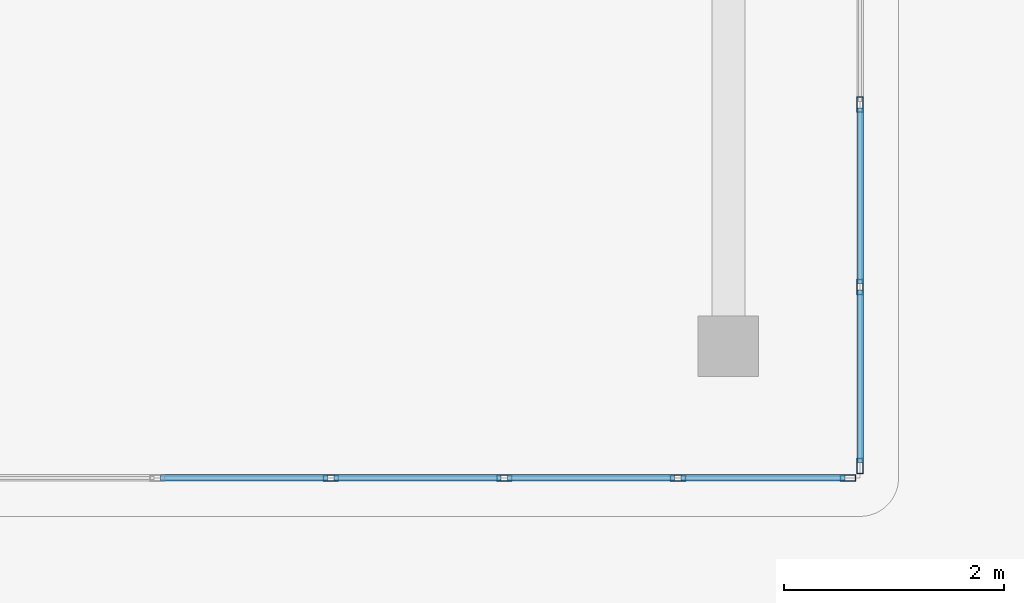
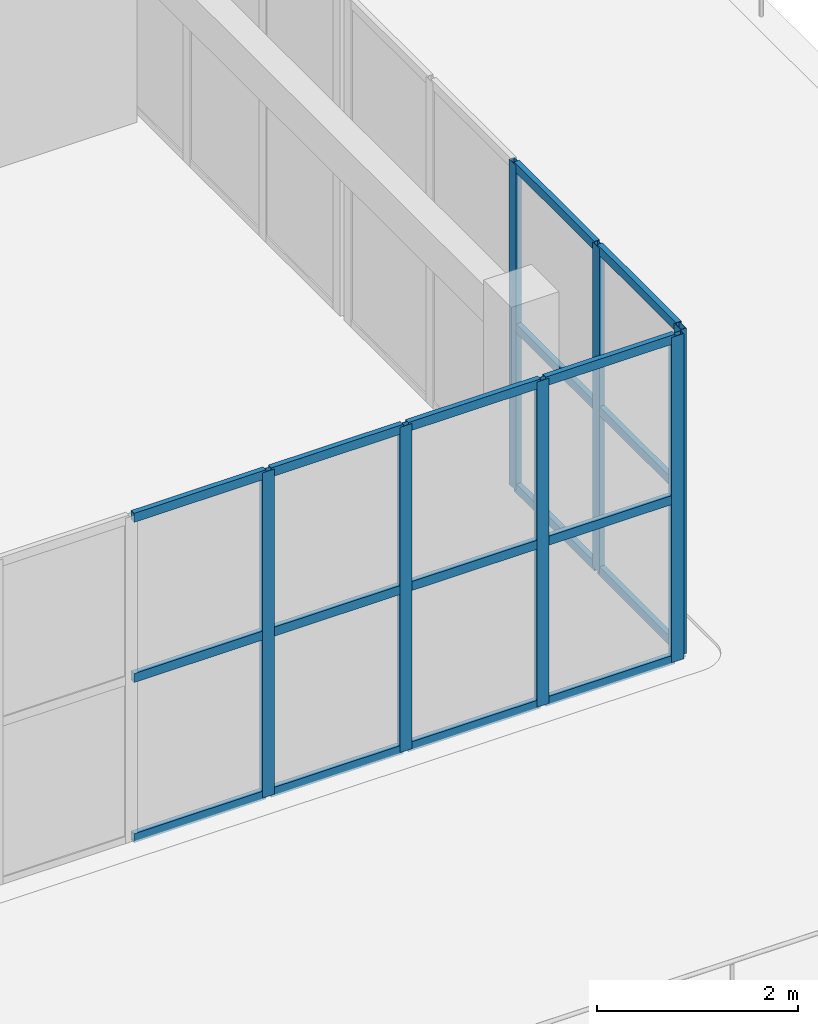
# One storey, part 28 of 90: 25 members, 2 elements without a shape of their own.
"""IFC4 building model written with IfcOpenShell, lengths in metres."""

from ifc_helpers import new_model, si_unit, direction, frame, origin, origin_2d, place, context, subcontext, project, spatial, hollow_rectangle, extrude, material, layer, layer_set, material_profile, profile_set, type_object, element, aggregate, save


model = new_model("IFC4")

# Units and contexts
model_context = context("Model", 3, precision=1e-05, world=origin(), true_north=direction((0.0, 1.0)))
body_context = subcontext(model_context, "Body", "Model", "MODEL_VIEW")
ifc_project = project(units=[si_unit("LENGTHUNIT", "METRE"), si_unit("AREAUNIT", "SQUARE_METRE"), si_unit("VOLUMEUNIT", "CUBIC_METRE"), si_unit("PLANEANGLEUNIT", "RADIAN"), si_unit("MASSUNIT", "GRAM", prefix="KILO")], contexts=[model_context])

# Site, building, storey
site_placement = place(None, origin())
site = spatial("IfcSite", under=ifc_project, at=site_placement, CompositionType="ELEMENT")
building_placement = place(site_placement, origin())
building = spatial("IfcBuilding", under=site, at=building_placement, Name="Trelvath General Hospital", CompositionType="ELEMENT")
storey_placement = place(building_placement, frame((0.0, 0.0, 20.39990234375)))
storey = spatial("IfcBuildingStorey", under=building, at=storey_placement, Name="L05", CompositionType="ELEMENT", Elevation=20.39990234375)

# Curtain wall, members
ifc_material_1 = material(Name="Anodised aluminium and low-E glass", Category="aluminium")
ifc_layer_1 = layer(ifc_material_1, 0.14990234375)
ifc_layer_set_1 = layer_set([ifc_layer_1], Name="Anodised aluminium and low-E glass")
curtain_wall_type_1 = type_object("IfcCurtainWallType", Name="CW CrystalCube 790 396 15", PredefinedType="USERDEFINED", material=ifc_layer_set_1)
curtain_wall_1_placement = place(storey_placement, origin())
curtain_wall_1 = element("IfcCurtainWall", 1, at=curtain_wall_1_placement, inside=storey, type_object=curtain_wall_type_1, Name="Crystal Cube Curtain Wall CUBE-E-T2 S2 L05", ObjectType="Unitised Glazed Curtain Wall", PredefinedType="USERDEFINED")
ifc_material_2 = material(Name="Anodised aluminium", Category="aluminium")
ifc_material_profile_1 = material_profile(ifc_material_2, hollow_rectangle(XDim=0.06005859375, YDim=0.139892578125, WallThickness=0.00390625, at=origin_2d()), Name="RHS60x140x4")
ifc_profile_set_1 = profile_set([ifc_material_profile_1], Name="Anodised aluminium")
member_type_1 = type_object("IfcMemberType", Name="CurtainMullion 60x140", PredefinedType="MULLION", material=ifc_profile_set_1)
member_1_placement = place(storey_placement, frame((108.2900390625, 43.60009765625, 0.0), z_axis=(0.0, 0.0, 1.0), x_axis=(0.0, -1.0, 0.0)))
member_1 = element("IfcMember", 2, at=member_1_placement, type_object=member_type_1, Name="CW-316 mullion 1", PredefinedType="MULLION", context=body_context, shape_type="SweptSolid", body=[
    extrude(hollow_rectangle(XDim=0.06005859375, YDim=0.139892578125, WallThickness=0.00390625, at=origin_2d()), origin(), (0.0, 0.0, 1.0), 3.960205078125),
])
member_2_placement = place(storey_placement, frame((106.739990234375, 43.60009765625, 0.0), z_axis=(0.0, 0.0, 1.0), x_axis=(0.0, -1.0, 0.0)))
member_2 = element("IfcMember", 3, at=member_2_placement, type_object=member_type_1, Name="CW-316 mullion 2", PredefinedType="MULLION", context=body_context, shape_type="SweptSolid", body=[
    extrude(hollow_rectangle(XDim=0.06005859375, YDim=0.139892578125, WallThickness=0.00390625, at=origin_2d()), origin(), (0.0, 0.0, 1.0), 3.960205078125),
])
member_3_placement = place(storey_placement, frame((105.159912109375, 43.60009765625, 0.0), z_axis=(0.0, 0.0, 1.0), x_axis=(0.0, -1.0, 0.0)))
member_3 = element("IfcMember", 4, at=member_3_placement, type_object=member_type_1, Name="CW-316 mullion 3", PredefinedType="MULLION", context=body_context, shape_type="SweptSolid", body=[
    extrude(hollow_rectangle(XDim=0.06005859375, YDim=0.139892578125, WallThickness=0.00390625, at=origin_2d()), origin(), (0.0, 0.0, 1.0), 3.960205078125),
])
member_4_placement = place(storey_placement, frame((103.580078125, 43.60009765625, 0.0), z_axis=(0.0, 0.0, 1.0), x_axis=(0.0, -1.0, 0.0)))
member_4 = element("IfcMember", 5, at=member_4_placement, type_object=member_type_1, Name="CW-316 mullion 4", PredefinedType="MULLION", context=body_context, shape_type="SweptSolid", body=[
    extrude(hollow_rectangle(XDim=0.06005859375, YDim=0.139892578125, WallThickness=0.00390625, at=origin_2d()), origin(), (0.0, 0.0, 1.0), 3.960205078125),
])

ifc_material_3 = material(Name="Anodised aluminium and low-E glass", Category="aluminium")
ifc_layer_2 = layer(ifc_material_3, 0.14990234375)
ifc_layer_set_2 = layer_set([ifc_layer_2], Name="Anodised aluminium and low-E glass")
curtain_wall_type_2 = type_object("IfcCurtainWallType", Name="CW CrystalCube 664 396 15", PredefinedType="USERDEFINED", material=ifc_layer_set_2)
curtain_wall_2_placement = place(storey_placement, origin())
curtain_wall_2 = element("IfcCurtainWall", 6, at=curtain_wall_2_placement, inside=storey, type_object=curtain_wall_type_2, Name="Crystal Cube Curtain Wall CUBE-E-T2 E1 L05", ObjectType="Unitised Glazed Curtain Wall", PredefinedType="USERDEFINED")
member_5_placement = place(storey_placement, frame((108.39990234375, 47.0, 0.0), z_axis=(0.0, 0.0, 1.0), x_axis=(1.0, 0.0, 0.0)))
member_5 = element("IfcMember", 7, at=member_5_placement, type_object=member_type_1, Name="CW-319 mullion 3", PredefinedType="MULLION", context=body_context, shape_type="SweptSolid", body=[
    extrude(hollow_rectangle(XDim=0.06005859375, YDim=0.139892578125, WallThickness=0.00390625, at=origin_2d()), origin(), (0.0, 0.0, 1.0), 3.960205078125),
])
member_6_placement = place(storey_placement, frame((108.39990234375, 45.340087890625, 0.0), z_axis=(0.0, 0.0, 1.0), x_axis=(1.0, 0.0, 0.0)))
member_6 = element("IfcMember", 8, at=member_6_placement, type_object=member_type_1, Name="CW-319 mullion 4", PredefinedType="MULLION", context=body_context, shape_type="SweptSolid", body=[
    extrude(hollow_rectangle(XDim=0.06005859375, YDim=0.139892578125, WallThickness=0.00390625, at=origin_2d()), origin(), (0.0, 0.0, 1.0), 3.960205078125),
])
member_7_placement = place(storey_placement, frame((108.39990234375, 43.7099609375, 0.0), z_axis=(0.0, 0.0, 1.0), x_axis=(1.0, 0.0, 0.0)))
member_7 = element("IfcMember", 9, at=member_7_placement, type_object=member_type_1, Name="CW-319 mullion 5", PredefinedType="MULLION", context=body_context, shape_type="SweptSolid", body=[
    extrude(hollow_rectangle(XDim=0.06005859375, YDim=0.139892578125, WallThickness=0.00390625, at=origin_2d()), origin(), (0.0, 0.0, 1.0), 3.960205078125),
])

# Member
ifc_material_4 = material(Name="Anodised aluminium", Category="aluminium")
ifc_material_profile_2 = material_profile(ifc_material_4, hollow_rectangle(XDim=0.06005859375, YDim=0.110107421875, WallThickness=0.00390625, at=origin_2d()), Name="RHS60x110x4")
ifc_profile_set_2 = profile_set([ifc_material_profile_2], Name="Anodised aluminium")
member_type_2 = type_object("IfcMemberType", Name="CurtainTransom 60x110", PredefinedType="USERDEFINED", material=ifc_profile_set_2)
member_8_placement = place(storey_placement, frame((108.260009765625, 43.60009765625, 0.030029296875), z_axis=(-1.0, 0.0, 0.0), x_axis=(0.0, -1.0, 0.0)))
member_8 = element("IfcMember", 10, at=member_8_placement, type_object=member_type_2, Name="CW-316 transom 1.1", ObjectType="TRANSOM", PredefinedType="USERDEFINED", context=body_context, shape_type="SweptSolid", body=[
    extrude(hollow_rectangle(XDim=0.06005859375, YDim=0.110107421875, WallThickness=0.00390625, at=origin_2d()), origin(), (0.0, 0.0, 1.0), 1.489990234375),
])

member_9_placement = place(storey_placement, frame((108.260009765625, 43.60009765625, 1.97998046875), z_axis=(-1.0, 0.0, 0.0), x_axis=(0.0, -1.0, 0.0)))
member_9 = element("IfcMember", 11, at=member_9_placement, type_object=member_type_2, Name="CW-316 transom 1.2", ObjectType="TRANSOM", PredefinedType="USERDEFINED", context=body_context, shape_type="SweptSolid", body=[
    extrude(hollow_rectangle(XDim=0.06005859375, YDim=0.110107421875, WallThickness=0.00390625, at=origin_2d()), origin(), (0.0, 0.0, 1.0), 1.489990234375),
])

member_10_placement = place(storey_placement, frame((108.260009765625, 43.60009765625, 3.93017578125), z_axis=(-1.0, 0.0, 0.0), x_axis=(0.0, -1.0, 0.0)))
member_10 = element("IfcMember", 12, at=member_10_placement, type_object=member_type_2, Name="CW-316 transom 1.3", ObjectType="TRANSOM", PredefinedType="USERDEFINED", context=body_context, shape_type="SweptSolid", body=[
    extrude(hollow_rectangle(XDim=0.06005859375, YDim=0.110107421875, WallThickness=0.00390625, at=origin_2d()), origin(), (0.0, 0.0, 1.0), 1.489990234375),
])

member_11_placement = place(storey_placement, frame((106.7099609375, 43.60009765625, 0.030029296875), z_axis=(-1.0, 0.0, 0.0), x_axis=(0.0, -1.0, 0.0)))
member_11 = element("IfcMember", 13, at=member_11_placement, type_object=member_type_2, Name="CW-316 transom 2.1", ObjectType="TRANSOM", PredefinedType="USERDEFINED", context=body_context, shape_type="SweptSolid", body=[
    extrude(hollow_rectangle(XDim=0.06005859375, YDim=0.110107421875, WallThickness=0.00390625, at=origin_2d()), origin(), (0.0, 0.0, 1.0), 1.52001953125),
])

member_12_placement = place(storey_placement, frame((106.7099609375, 43.60009765625, 1.97998046875), z_axis=(-1.0, 0.0, 0.0), x_axis=(0.0, -1.0, 0.0)))
member_12 = element("IfcMember", 14, at=member_12_placement, type_object=member_type_2, Name="CW-316 transom 2.2", ObjectType="TRANSOM", PredefinedType="USERDEFINED", context=body_context, shape_type="SweptSolid", body=[
    extrude(hollow_rectangle(XDim=0.06005859375, YDim=0.110107421875, WallThickness=0.00390625, at=origin_2d()), origin(), (0.0, 0.0, 1.0), 1.52001953125),
])

member_13_placement = place(storey_placement, frame((106.7099609375, 43.60009765625, 3.93017578125), z_axis=(-1.0, 0.0, 0.0), x_axis=(0.0, -1.0, 0.0)))
member_13 = element("IfcMember", 15, at=member_13_placement, type_object=member_type_2, Name="CW-316 transom 2.3", ObjectType="TRANSOM", PredefinedType="USERDEFINED", context=body_context, shape_type="SweptSolid", body=[
    extrude(hollow_rectangle(XDim=0.06005859375, YDim=0.110107421875, WallThickness=0.00390625, at=origin_2d()), origin(), (0.0, 0.0, 1.0), 1.52001953125),
])

member_14_placement = place(storey_placement, frame((105.1298828125, 43.60009765625, 0.030029296875), z_axis=(-1.0, 0.0, 0.0), x_axis=(0.0, -1.0, 0.0)))
member_14 = element("IfcMember", 16, at=member_14_placement, type_object=member_type_2, Name="CW-316 transom 3.1", ObjectType="TRANSOM", PredefinedType="USERDEFINED", context=body_context, shape_type="SweptSolid", body=[
    extrude(hollow_rectangle(XDim=0.06005859375, YDim=0.110107421875, WallThickness=0.00390625, at=origin_2d()), origin(), (0.0, 0.0, 1.0), 1.519775390625),
])

member_15_placement = place(storey_placement, frame((105.1298828125, 43.60009765625, 1.97998046875), z_axis=(-1.0, 0.0, 0.0), x_axis=(0.0, -1.0, 0.0)))
member_15 = element("IfcMember", 17, at=member_15_placement, type_object=member_type_2, Name="CW-316 transom 3.2", ObjectType="TRANSOM", PredefinedType="USERDEFINED", context=body_context, shape_type="SweptSolid", body=[
    extrude(hollow_rectangle(XDim=0.06005859375, YDim=0.110107421875, WallThickness=0.00390625, at=origin_2d()), origin(), (0.0, 0.0, 1.0), 1.519775390625),
])

member_16_placement = place(storey_placement, frame((105.1298828125, 43.60009765625, 3.93017578125), z_axis=(-1.0, 0.0, 0.0), x_axis=(0.0, -1.0, 0.0)))
member_16 = element("IfcMember", 18, at=member_16_placement, type_object=member_type_2, Name="CW-316 transom 3.3", ObjectType="TRANSOM", PredefinedType="USERDEFINED", context=body_context, shape_type="SweptSolid", body=[
    extrude(hollow_rectangle(XDim=0.06005859375, YDim=0.110107421875, WallThickness=0.00390625, at=origin_2d()), origin(), (0.0, 0.0, 1.0), 1.519775390625),
])

member_17_placement = place(storey_placement, frame((103.550048828125, 43.60009765625, 0.030029296875), z_axis=(-1.0, 0.0, 0.0), x_axis=(0.0, -1.0, 0.0)))
member_17 = element("IfcMember", 19, at=member_17_placement, type_object=member_type_2, Name="CW-316 transom 4.1", ObjectType="TRANSOM", PredefinedType="USERDEFINED", context=body_context, shape_type="SweptSolid", body=[
    extrude(hollow_rectangle(XDim=0.06005859375, YDim=0.110107421875, WallThickness=0.00390625, at=origin_2d()), origin(), (0.0, 0.0, 1.0), 1.52001953125),
])

member_18_placement = place(storey_placement, frame((103.550048828125, 43.60009765625, 1.97998046875), z_axis=(-1.0, 0.0, 0.0), x_axis=(0.0, -1.0, 0.0)))
member_18 = element("IfcMember", 20, at=member_18_placement, type_object=member_type_2, Name="CW-316 transom 4.2", ObjectType="TRANSOM", PredefinedType="USERDEFINED", context=body_context, shape_type="SweptSolid", body=[
    extrude(hollow_rectangle(XDim=0.06005859375, YDim=0.110107421875, WallThickness=0.00390625, at=origin_2d()), origin(), (0.0, 0.0, 1.0), 1.52001953125),
])

member_19_placement = place(storey_placement, frame((103.550048828125, 43.60009765625, 3.93017578125), z_axis=(-1.0, 0.0, 0.0), x_axis=(0.0, -1.0, 0.0)))
member_19 = element("IfcMember", 21, at=member_19_placement, type_object=member_type_2, Name="CW-316 transom 4.3", ObjectType="TRANSOM", PredefinedType="USERDEFINED", context=body_context, shape_type="SweptSolid", body=[
    extrude(hollow_rectangle(XDim=0.06005859375, YDim=0.110107421875, WallThickness=0.00390625, at=origin_2d()), origin(), (0.0, 0.0, 1.0), 1.52001953125),
])

aggregate(curtain_wall_1, [member_1, member_2, member_3, member_4, member_8, member_9, member_10, member_11, member_12, member_13, member_14, member_15, member_16, member_17, member_18, member_19])

member_20_placement = place(storey_placement, frame((108.39990234375, 46.969970703125, 0.030029296875), z_axis=(0.0, -1.0, 0.0), x_axis=(1.0, 0.0, 0.0)))
member_20 = element("IfcMember", 22, at=member_20_placement, type_object=member_type_2, Name="CW-319 transom 3.1", ObjectType="TRANSOM", PredefinedType="USERDEFINED", context=body_context, shape_type="SweptSolid", body=[
    extrude(hollow_rectangle(XDim=0.06005859375, YDim=0.110107421875, WallThickness=0.00390625, at=origin_2d()), origin(), (0.0, 0.0, 1.0), 1.599853515625),
])

member_21_placement = place(storey_placement, frame((108.39990234375, 46.969970703125, 1.97998046875), z_axis=(0.0, -1.0, 0.0), x_axis=(1.0, 0.0, 0.0)))
member_21 = element("IfcMember", 23, at=member_21_placement, type_object=member_type_2, Name="CW-319 transom 3.2", ObjectType="TRANSOM", PredefinedType="USERDEFINED", context=body_context, shape_type="SweptSolid", body=[
    extrude(hollow_rectangle(XDim=0.06005859375, YDim=0.110107421875, WallThickness=0.00390625, at=origin_2d()), origin(), (0.0, 0.0, 1.0), 1.599853515625),
])

member_22_placement = place(storey_placement, frame((108.39990234375, 46.969970703125, 3.93017578125), z_axis=(0.0, -1.0, 0.0), x_axis=(1.0, 0.0, 0.0)))
member_22 = element("IfcMember", 24, at=member_22_placement, type_object=member_type_2, Name="CW-319 transom 3.3", ObjectType="TRANSOM", PredefinedType="USERDEFINED", context=body_context, shape_type="SweptSolid", body=[
    extrude(hollow_rectangle(XDim=0.06005859375, YDim=0.110107421875, WallThickness=0.00390625, at=origin_2d()), origin(), (0.0, 0.0, 1.0), 1.599853515625),
])

member_23_placement = place(storey_placement, frame((108.39990234375, 45.31005859375, 0.030029296875), z_axis=(0.0, -1.0, 0.0), x_axis=(1.0, 0.0, 0.0)))
member_23 = element("IfcMember", 25, at=member_23_placement, type_object=member_type_2, Name="CW-319 transom 4.1", ObjectType="TRANSOM", PredefinedType="USERDEFINED", context=body_context, shape_type="SweptSolid", body=[
    extrude(hollow_rectangle(XDim=0.06005859375, YDim=0.110107421875, WallThickness=0.00390625, at=origin_2d()), origin(), (0.0, 0.0, 1.0), 1.570068359375),
])

member_24_placement = place(storey_placement, frame((108.39990234375, 45.31005859375, 1.97998046875), z_axis=(0.0, -1.0, 0.0), x_axis=(1.0, 0.0, 0.0)))
member_24 = element("IfcMember", 26, at=member_24_placement, type_object=member_type_2, Name="CW-319 transom 4.2", ObjectType="TRANSOM", PredefinedType="USERDEFINED", context=body_context, shape_type="SweptSolid", body=[
    extrude(hollow_rectangle(XDim=0.06005859375, YDim=0.110107421875, WallThickness=0.00390625, at=origin_2d()), origin(), (0.0, 0.0, 1.0), 1.570068359375),
])

member_25_placement = place(storey_placement, frame((108.39990234375, 45.31005859375, 3.93017578125), z_axis=(0.0, -1.0, 0.0), x_axis=(1.0, 0.0, 0.0)))
member_25 = element("IfcMember", 27, at=member_25_placement, type_object=member_type_2, Name="CW-319 transom 4.3", ObjectType="TRANSOM", PredefinedType="USERDEFINED", context=body_context, shape_type="SweptSolid", body=[
    extrude(hollow_rectangle(XDim=0.06005859375, YDim=0.110107421875, WallThickness=0.00390625, at=origin_2d()), origin(), (0.0, 0.0, 1.0), 1.570068359375),
])

aggregate(curtain_wall_2, [member_5, member_6, member_7, member_20, member_21, member_22, member_23, member_24, member_25])

save(model, "model.ifc")
